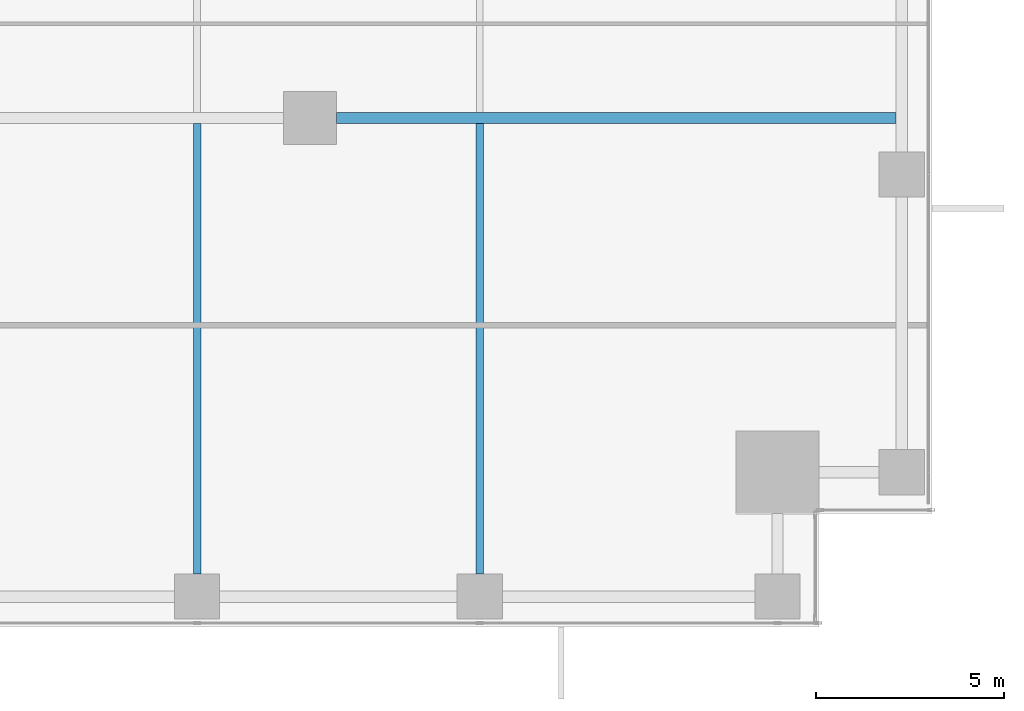
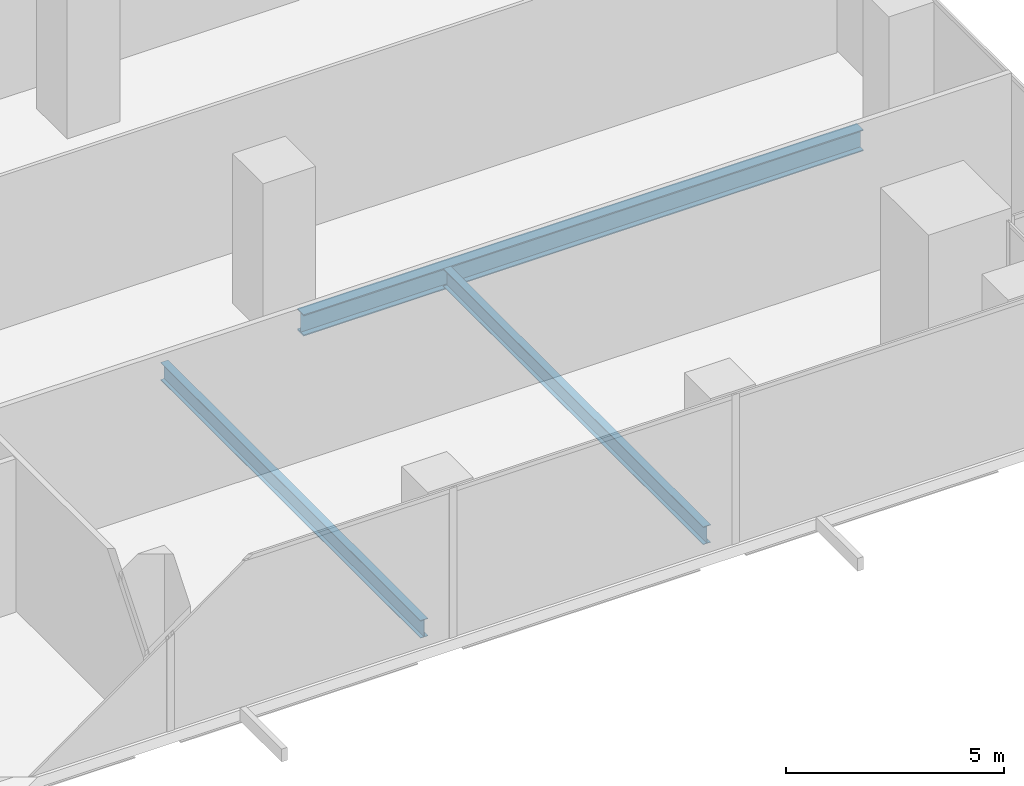
# One storey, part 8 of 33: 3 beams.
"""IFC4 building model written with IfcOpenShell, lengths in metres."""

from ifc_helpers import new_model, si_unit, direction, frame, origin, origin_2d, place, context, subcontext, project, spatial, i_section, extrude, source, transform, mapped, material, material_profile, profile_set, type_object, element, save


model = new_model("IFC4")

# Units and contexts
model_context = context("Model", 3, precision=1e-05, world=origin(), true_north=direction((0.0, 1.0)))
body_context = subcontext(model_context, "Body", "Model", "MODEL_VIEW")
ifc_project = project(units=[si_unit("LENGTHUNIT", "METRE"), si_unit("AREAUNIT", "SQUARE_METRE"), si_unit("VOLUMEUNIT", "CUBIC_METRE"), si_unit("PLANEANGLEUNIT", "RADIAN"), si_unit("MASSUNIT", "GRAM", prefix="KILO")], contexts=[model_context])

# Site, building, storey
site_placement = place(None, origin())
site = spatial("IfcSite", under=ifc_project, at=site_placement, CompositionType="ELEMENT")
building_placement = place(site_placement, origin())
building = spatial("IfcBuilding", under=site, at=building_placement, Name="Khomas Fold Tower", CompositionType="ELEMENT")
storey_placement = place(building_placement, frame((0.0, 0.0, 55.5)))
storey = spatial("IfcBuildingStorey", under=building, at=storey_placement, Name="L11", CompositionType="ELEMENT", Elevation=55.5)

# Beams
ifc_material_1 = material(Name="Steel S355", Category="steel")
ifc_material_profile_1 = material_profile(ifc_material_1, i_section(OverallWidth=0.300048828125, OverallDepth=0.60009765625, WebThickness=0.015380859375, FlangeThickness=0.030029296875, at=origin_2d()), Name="HE 600 B")
ifc_profile_set_1 = profile_set([ifc_material_profile_1], Name="Steel S355")
beam_type_1 = type_object("IfcBeamType", Name="HE 600 B beam GB5", PredefinedType="BEAM", material=ifc_profile_set_1)
shared_shape_1 = source(origin(), body_context, "Body", "SweptSolid", [
    extrude(i_section(OverallWidth=0.300048828125, OverallDepth=0.60009765625, WebThickness=0.015380859375, FlangeThickness=0.030029296875, at=origin_2d()), origin(), (0.0, 0.0, 1.0), 14.85009765625),
])
beam_placement = place(storey_placement, frame((38.199951171875, 13.5, -0.60009765625), z_axis=(1.0, 0.0, 0.0), x_axis=(0.0, 1.0, 0.0)))
element("IfcBeam", 1, at=beam_placement, inside=storey, type_object=beam_type_1, Name="GB5", PredefinedType="BEAM", context=body_context, shape_type="MappedRepresentation", body=[
    mapped(shared_shape_1, transform((0.0, 0.0, 0.0))),
])
ifc_material_2 = material(Name="Steel S355", Category="steel")
ifc_material_profile_2 = material_profile(ifc_material_2, i_section(OverallWidth=0.199951171875, OverallDepth=0.5, WebThickness=0.01025390625, FlangeThickness=0.01611328125, at=origin_2d()), Name="IPE 500")
ifc_profile_set_2 = profile_set([ifc_material_profile_2], Name="Steel S355")
beam_type_2 = type_object("IfcBeamType", Name="IPE 500 beam JB5", PredefinedType="BEAM", material=ifc_profile_set_2)
shared_shape_2 = source(origin(), body_context, "Body", "SweptSolid", [
    extrude(i_section(OverallWidth=0.199951171875, OverallDepth=0.5, WebThickness=0.01025390625, FlangeThickness=0.01611328125, at=origin_2d()), origin(), (0.0, 0.0, 1.0), 11.9501953125),
])
for number, where, z_axis, x_axis, name in (
    (2, (34.5, 1.39990234375, -0.550048828125), (0.0, 1.0, 0.0), (-1.0, 0.0, 0.0), "JB5"),
    (3, (42.0, 1.39990234375, -0.550048828125), (0.0, 1.0, 0.0), (-1.0, 0.0, 0.0), "JB5"),
):
    element("IfcBeam", number, at=place(storey_placement, frame(where, z_axis=z_axis, x_axis=x_axis)), inside=storey, type_object=beam_type_2, Name=name, PredefinedType="BEAM", context=body_context, shape_type="MappedRepresentation", body=[
        mapped(shared_shape_2, transform((0.0, 0.0, 0.0))),
    ])

save(model, "model.ifc")
